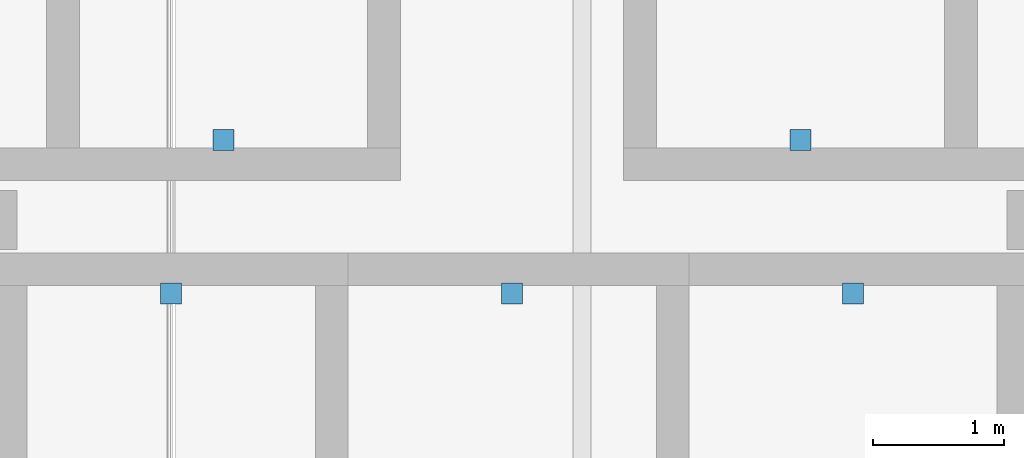
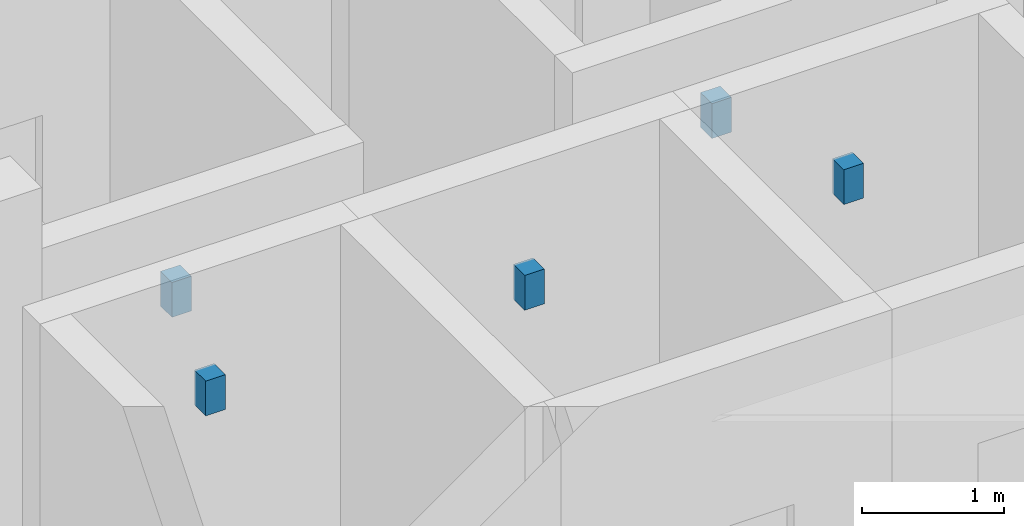
# One storey, part 23 of 24: 5 discrete accessories.
"""IFC4 building model written with IfcOpenShell, lengths in metres."""

import ifcopenshell
import ifcopenshell.guid

model = None  # the IFC model being written
_history = None  # IfcOwnerHistory: only IFC2X3 demands one
_inside = {}  # id of a spatial element -> (the spatial element, [elements in it])
_under = {}  # id of a project, library or spatial element -> (it, [spatial elements below it])
_declared = {}  # id of a project -> (the project, [libraries it declares])
_typed = {}  # id of a type object -> (the type object, [elements of that type])
_made_of = {}  # id of a material, layer set ... -> (it, [elements and type objects made of it])


def new_model(schema):
    """Start an empty IFC model of exactly this schema.

    Asked for "IFC4X3", IfcOpenShell would pick the latest addendum, in which some entities
    have other attributes; the version numbers below select the first issue.
    IFC2X3 requires an IfcOwnerHistory on every rooted entity: one is made here for all.
    """
    global model, _history
    if schema == "IFC4X3":
        model = ifcopenshell.file(schema_version=(4, 3, 0, 0))
    else:
        model = ifcopenshell.file(schema=schema)
    _inside.clear()
    _under.clear()
    _declared.clear()
    _typed.clear()
    _made_of.clear()
    _history = None
    if model.schema == "IFC2X3":
        org = make("IfcOrganization", Name="unknown")
        user = make(
            "IfcPersonAndOrganization",
            ThePerson=make("IfcPerson", FamilyName="unknown"),
            TheOrganization=org,
        )
        app = make(
            "IfcApplication",
            ApplicationDeveloper=org,
            Version="unknown",
            ApplicationFullName="unknown",
            ApplicationIdentifier="unknown",
        )
        _history = make(
            "IfcOwnerHistory",
            OwningUser=user,
            OwningApplication=app,
            ChangeAction="ADDED",
            CreationDate=0,
        )
    return model


def make(cls, **values):
    """One entity of the class cls with the attributes given. An attribute that is None is left unset."""
    return model.create_entity(
        cls, **{name: value for name, value in values.items() if value is not None}
    )


def rooted(cls, **values):
    """An entity with a GlobalId (a new one), such as an element, a storey or a relation."""
    return make(cls, GlobalId=ifcopenshell.guid.new(), OwnerHistory=_history, **values)


def si_unit(unit_type, name, prefix=None):
    """IfcSIUnit, for example si_unit("LENGTHUNIT", "METRE", prefix="MILLI")."""
    return make("IfcSIUnit", UnitType=unit_type, Prefix=prefix, Name=name)


def assignment(units):
    """IfcUnitAssignment: the units of a project."""
    return None if units is None else make("IfcUnitAssignment", Units=units)


def point(xyz):
    """IfcCartesianPoint."""
    return None if xyz is None else make("IfcCartesianPoint", Coordinates=xyz)


def direction(xyz):
    """IfcDirection."""
    return None if xyz is None else make("IfcDirection", DirectionRatios=xyz)


def frame(location, z_axis=None, x_axis=None):
    """IfcAxis2Placement3D, a coordinate frame: its origin and axes. An axis left out is left unset."""
    return make(
        "IfcAxis2Placement3D",
        Location=point(location),
        Axis=direction(z_axis),
        RefDirection=direction(x_axis),
    )


def frame_2d(location, x_axis=None):
    """IfcAxis2Placement2D, a coordinate frame in the plane: its origin and x axis."""
    return make(
        "IfcAxis2Placement2D", Location=point(location), RefDirection=direction(x_axis)
    )


def origin():
    """The frame at (0, 0, 0) with its axes left unset."""
    return frame((0.0, 0.0, 0.0))


def origin_2d():
    """The frame at (0, 0) in the plane with its x axis left unset."""
    return frame_2d((0.0, 0.0))


def place(relative_to, where):
    """IfcLocalPlacement: puts the frame where relative to a parent placement (None: the world)."""
    return make(
        "IfcLocalPlacement", PlacementRelTo=relative_to, RelativePlacement=where
    )


def context(
    kind, dimensions, precision=None, world=None, true_north=None, identifier=None
):
    """IfcGeometricRepresentationContext, for example the 3D "Model" context."""
    return make(
        "IfcGeometricRepresentationContext",
        ContextIdentifier=identifier,
        ContextType=kind,
        CoordinateSpaceDimension=dimensions,
        Precision=precision,
        WorldCoordinateSystem=world,
        TrueNorth=true_north,
    )


def subcontext(parent, identifier, kind, view, scale=None):
    """IfcGeometricRepresentationSubContext, for example "Body" below "Model"."""
    return make(
        "IfcGeometricRepresentationSubContext",
        ContextIdentifier=identifier,
        ContextType=kind,
        ParentContext=parent,
        TargetScale=scale,
        TargetView=view,
    )


def project(units=None, contexts=None):
    """IfcProject with its units and contexts."""
    return rooted(
        "IfcProject",
        Name="project",
        RepresentationContexts=contexts,
        UnitsInContext=assignment(units),
    )


def spatial(cls, under=None, at=None, **own):
    """A site, building, storey or space (cls), placed at a placement, below another one or the project."""
    s = rooted(cls, ObjectPlacement=at, **own)
    if under is not None:
        _under.setdefault(under.id(), (under, []))[1].append(s)
    return s


def profile(cls, at=None, kind="AREA", **sizes):
    """A parametric profile (cls). Its sizes go by their IFC names, for example OverallWidth=200.0."""
    return make(cls, ProfileType=kind, Position=at, **sizes)


def rectangle(**sizes):
    """IfcRectangleProfileDef."""
    return profile("IfcRectangleProfileDef", **sizes)


def extrude(swept, where, along, depth):
    """IfcExtrudedAreaSolid: the profile swept, set in the frame where, extruded along a direction by depth."""
    return make(
        "IfcExtrudedAreaSolid",
        SweptArea=swept,
        Position=where,
        ExtrudedDirection=direction(along),
        Depth=depth,
    )


def shape(context_of_items, identifier, shape_type, items):
    """IfcShapeRepresentation: the items that make up one representation, for example the "Body"."""
    return make(
        "IfcShapeRepresentation",
        ContextOfItems=context_of_items,
        RepresentationIdentifier=identifier,
        RepresentationType=shape_type,
        Items=items,
    )


def material(Name=None, Category=None):
    """IfcMaterial."""
    return make("IfcMaterial", Name=Name, Category=Category)


def made_of(thing, what):
    """Note that an element or type object is made of a material, layer set ...; save() writes the relation."""
    if what is not None:
        _made_of.setdefault(what.id(), (what, []))[1].append(thing)
    return thing


def type_object(cls, material=None, **own):
    """A type object (cls), such as IfcWallType, which elements share."""
    return made_of(rooted(cls, **own), material)


def element(
    cls,
    number,
    at=None,
    inside=None,
    cuts=None,
    type_object=None,
    material=None,
    context=None,
    identifier="Body",
    shape_type=None,
    held_by="IfcProductDefinitionShape",
    body=None,
    shapes=None,
    **own,
):
    """One element of the class cls, such as IfcWall. Its Tag is "e" and its number.

    at: its placement. inside: the storey or other place that contains it. cuts: it is an
    opening in that element (IfcRelVoidsElement). A single representation is given by context,
    identifier, shape_type and body (its items); several are given by shapes. held_by: the class
    of the entity that holds the representations. save() writes the other relations.
    """
    e = rooted(cls, Tag="e%d" % number, ObjectPlacement=at, **own)
    if body is not None:
        shapes = [shape(context, identifier, shape_type, body)]
    if shapes is not None:
        e.Representation = make(held_by, Representations=shapes)
    if inside is not None:
        _inside.setdefault(inside.id(), (inside, []))[1].append(e)
    if cuts is not None:
        rooted(
            "IfcRelVoidsElement", RelatingBuildingElement=cuts, RelatedOpeningElement=e
        )
    if type_object is not None:
        _typed.setdefault(type_object.id(), (type_object, []))[1].append(e)
    return made_of(e, material)


def aggregate(whole, parts):
    """IfcRelAggregates: a whole, such as a stair, and the parts it consists of."""
    return rooted("IfcRelAggregates", RelatingObject=whole, RelatedObjects=parts)


def save(model, path):
    """Write the relations noted so far, then the file.

    IfcRelAggregates (storeys below a building ...), IfcRelContainedInSpatialStructure (elements
    in a storey), IfcRelDefinesByType, IfcRelAssociatesMaterial and IfcRelDeclares: one each for
    every whole, place, type object, material and project.
    """
    for whole, parts in _under.values():
        aggregate(whole, parts)
    for where, things in _inside.values():
        rooted(
            "IfcRelContainedInSpatialStructure",
            RelatedElements=things,
            RelatingStructure=where,
        )
    for kind, things in _typed.values():
        rooted("IfcRelDefinesByType", RelatedObjects=things, RelatingType=kind)
    for what, things in _made_of.values():
        rooted("IfcRelAssociatesMaterial", RelatedObjects=things, RelatingMaterial=what)
    for by, libraries in _declared.values():
        rooted("IfcRelDeclares", RelatingContext=by, RelatedDefinitions=libraries)
    model.write(path)


model = new_model("IFC4")

# Units and contexts
model_context = context("Model", 3, precision=1e-05, world=origin(), true_north=direction((0.0, 1.0)))
body_context = subcontext(model_context, "Body", "Model", "MODEL_VIEW")
ifc_project = project(units=[si_unit("LENGTHUNIT", "METRE"), si_unit("AREAUNIT", "SQUARE_METRE"), si_unit("VOLUMEUNIT", "CUBIC_METRE"), si_unit("PLANEANGLEUNIT", "RADIAN"), si_unit("MASSUNIT", "GRAM", prefix="KILO")], contexts=[model_context])

# Site, building, storey
site_placement = place(None, origin())
site = spatial("IfcSite", under=ifc_project, at=site_placement, CompositionType="ELEMENT")
building_placement = place(site_placement, origin())
building = spatial("IfcBuilding", under=site, at=building_placement, Name="Vellmiral Cinema and Media Centre", CompositionType="ELEMENT")
storey_placement = place(building_placement, frame((0.0, 0.0, 66.60009765625)))
storey = spatial("IfcBuildingStorey", under=building, at=storey_placement, Name="L16", CompositionType="ELEMENT", Elevation=66.60009765625)

# Discrete accessories
ifc_material = material(Name="Steel S355", Category="steel")
discrete_accessory_type = type_object("IfcDiscreteAccessoryType", Name="ACC-LIFT-GUIDE", PredefinedType="BRACKET", material=ifc_material)
for number, where, z_axis, x_axis, name in (
    (1, (133.800048828125, 87.81005859375, 2.39990234375), (0.0, 0.0, 1.0), (1.0, 0.0, 0.0), "Lift Guide and Overrun Bracket LF-FF1"),
    (2, (138.199951171875, 87.81005859375, 2.39990234375), (0.0, 0.0, 1.0), (1.0, 0.0, 0.0), "Lift Guide and Overrun Bracket LF-FF2"),
    (3, (133.39990234375, 86.639892578125, 2.39990234375), (0.0, 0.0, 1.0), (1.0, 0.0, 0.0), "Lift Guide and Overrun Bracket LF-P1"),
    (4, (136.0, 86.639892578125, 2.39990234375), (0.0, 0.0, 1.0), (1.0, 0.0, 0.0), "Lift Guide and Overrun Bracket LF-P2"),
    (5, (138.60009765625, 86.639892578125, 2.39990234375), (0.0, 0.0, 1.0), (1.0, 0.0, 0.0), "Lift Guide and Overrun Bracket LF-P3"),
):
    element("IfcDiscreteAccessory", number, at=place(storey_placement, frame(where, z_axis=z_axis, x_axis=x_axis)), inside=storey, type_object=discrete_accessory_type, Name=name, PredefinedType="BRACKET", context=body_context, shape_type="SweptSolid", body=[
        extrude(rectangle(XDim=0.159912109375, YDim=0.159912109375, at=origin_2d()), origin(), (0.0, 0.0, 1.0), 0.300048828125),
    ])

save(model, "model.ifc")
